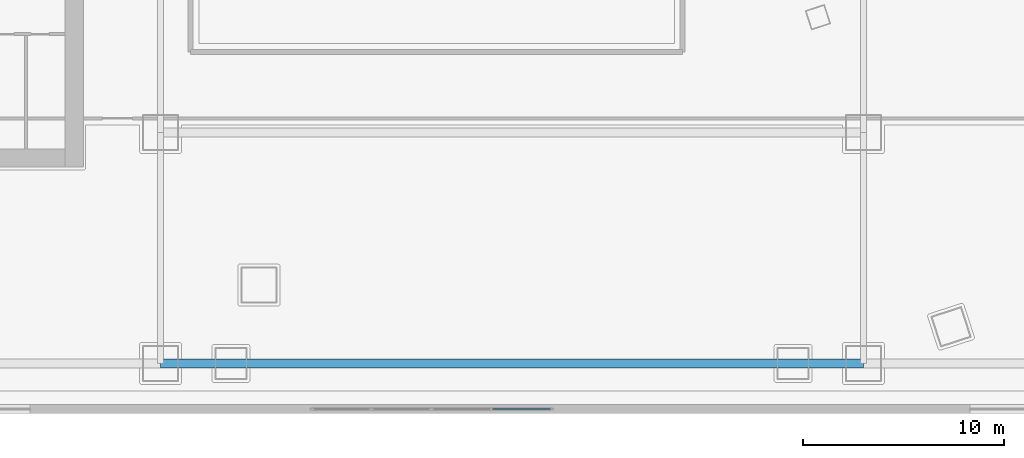
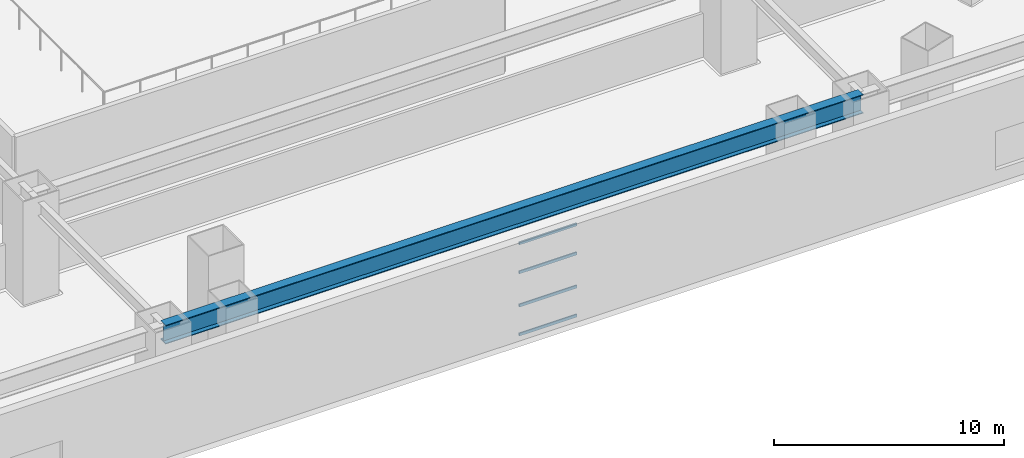
# One storey, part 7 of 35: 4 members, 1 beam, 1 element without a shape of its own.
"""IFC4 building model written with IfcOpenShell, lengths in metres."""

from ifc_helpers import new_model, si_unit, direction, frame, origin, origin_2d, place, context, subcontext, project, spatial, hollow_rectangle, i_section, extrude, material, layer, layer_set, material_profile, profile_set, type_object, element, aggregate, save


model = new_model("IFC4")

# Units and contexts
model_context = context("Model", 3, precision=1e-05, world=origin(), true_north=direction((0.0, 1.0)))
body_context = subcontext(model_context, "Body", "Model", "MODEL_VIEW")
ifc_project = project(units=[si_unit("LENGTHUNIT", "METRE"), si_unit("AREAUNIT", "SQUARE_METRE"), si_unit("VOLUMEUNIT", "CUBIC_METRE"), si_unit("PLANEANGLEUNIT", "RADIAN"), si_unit("MASSUNIT", "GRAM", prefix="KILO")], contexts=[model_context])

# Site, building, storey
site_placement = place(None, origin())
site = spatial("IfcSite", under=ifc_project, at=site_placement, CompositionType="ELEMENT")
building_placement = place(site_placement, origin())
building = spatial("IfcBuilding", under=site, at=building_placement, Name="Qiaolan Cultural Towers", CompositionType="ELEMENT")
storey_placement = place(building_placement, frame((0.0, 0.0, 6.0)))
storey = spatial("IfcBuildingStorey", under=building, at=storey_placement, Name="L01", CompositionType="ELEMENT", Elevation=6.0)

# Beam
ifc_material_1 = material(Name="Steel Q390GJB", Category="steel")
ifc_material_profile_1 = material_profile(ifc_material_1, i_section(OverallWidth=0.449951171875, OverallDepth=1.0, WebThickness=0.02392578125, FlangeThickness=0.0400390625, at=origin_2d()), Name="BH1000x450x24x40")
ifc_profile_set_1 = profile_set([ifc_material_profile_1], Name="Steel Q390GJB")
beam_type = type_object("IfcBeamType", Name="BM-BH1000x450x24x40", PredefinedType="BEAM", material=ifc_profile_set_1)
beam_placement = place(storey_placement, frame((42.5, 2.5, 4.699951171875), z_axis=(1.0, 0.0, 0.0), x_axis=(0.0, 1.0, 0.0)))
element("IfcBeam", 1, at=beam_placement, inside=storey, type_object=beam_type, Name="L01 Podium Primary Girder Y=2.5", PredefinedType="BEAM", context=body_context, shape_type="SweptSolid", body=[
    extrude(i_section(OverallWidth=0.449951171875, OverallDepth=1.0, WebThickness=0.02392578125, FlangeThickness=0.0400390625, at=origin_2d()), origin(), (0.0, 0.0, 1.0), 35.0),
])

# Curtain wall, members
ifc_material_2 = material(Name="Unitized Anodized Aluminium Curtain Wall System", Category="aluminium")
ifc_layer = layer(ifc_material_2, 0.199951171875)
ifc_layer_set = layer_set([ifc_layer], Name="Unitized Anodized Aluminium Curtain Wall System")
curtain_wall_type = type_object("IfcCurtainWallType", Name="CWS-01", PredefinedType="NOTDEFINED", material=ifc_layer_set)
curtain_wall_placement = place(storey_placement, origin())
curtain_wall = element("IfcCurtainWall", 2, at=curtain_wall_placement, inside=storey, type_object=curtain_wall_type, Name="L01 South Atrium Curtain Wall", PredefinedType="NOTDEFINED")
ifc_material_3 = material(Name="Extruded Aluminium 6063-T6", Category="aluminium")
ifc_material_profile_2 = material_profile(ifc_material_3, hollow_rectangle(XDim=0.06494140625, YDim=0.14990234375, WallThickness=0.00390625, at=origin_2d()), Name="CWT-150x65x4")
ifc_profile_set_2 = profile_set([ifc_material_profile_2], Name="Extruded Aluminium 6063-T6")
member_type = type_object("IfcMemberType", Name="CWS-01-TRN", PredefinedType="USERDEFINED", material=ifc_profile_set_2)
member_1_placement = place(storey_placement, frame((59.03759765625, 0.219970703125, 0.1826171875), z_axis=(1.0, 0.0, 0.0), x_axis=(0.0, 1.0, 0.0)))
member_1 = element("IfcMember", 3, at=member_1_placement, type_object=member_type, Name="CW-1 transom 4.1", ObjectType="TRANSOM", PredefinedType="USERDEFINED", context=body_context, shape_type="SweptSolid", body=[
    extrude(hollow_rectangle(XDim=0.06494140625, YDim=0.14990234375, WallThickness=0.00390625, at=origin_2d()), origin(), (0.0, 0.0, 1.0), 2.887451171875),
])
member_2_placement = place(storey_placement, frame((59.03759765625, 0.219970703125, 1.719970703125), z_axis=(1.0, 0.0, 0.0), x_axis=(0.0, 1.0, 0.0)))
member_2 = element("IfcMember", 4, at=member_2_placement, type_object=member_type, Name="CW-1 transom 4.2", ObjectType="TRANSOM", PredefinedType="USERDEFINED", context=body_context, shape_type="SweptSolid", body=[
    extrude(hollow_rectangle(XDim=0.06494140625, YDim=0.14990234375, WallThickness=0.00390625, at=origin_2d()), origin(), (0.0, 0.0, 1.0), 2.887451171875),
])
member_3_placement = place(storey_placement, frame((59.03759765625, 0.219970703125, 3.47998046875), z_axis=(1.0, 0.0, 0.0), x_axis=(0.0, 1.0, 0.0)))
member_3 = element("IfcMember", 5, at=member_3_placement, type_object=member_type, Name="CW-1 transom 4.3", ObjectType="TRANSOM", PredefinedType="USERDEFINED", context=body_context, shape_type="SweptSolid", body=[
    extrude(hollow_rectangle(XDim=0.06494140625, YDim=0.14990234375, WallThickness=0.00390625, at=origin_2d()), origin(), (0.0, 0.0, 1.0), 2.887451171875),
])
member_4_placement = place(storey_placement, frame((59.03759765625, 0.219970703125, 5.017578125), z_axis=(1.0, 0.0, 0.0), x_axis=(0.0, 1.0, 0.0)))
member_4 = element("IfcMember", 6, at=member_4_placement, type_object=member_type, Name="CW-1 transom 4.4", ObjectType="TRANSOM", PredefinedType="USERDEFINED", context=body_context, shape_type="SweptSolid", body=[
    extrude(hollow_rectangle(XDim=0.06494140625, YDim=0.14990234375, WallThickness=0.00390625, at=origin_2d()), origin(), (0.0, 0.0, 1.0), 2.887451171875),
])
aggregate(curtain_wall, [member_1, member_2, member_3, member_4])

save(model, "model.ifc")
